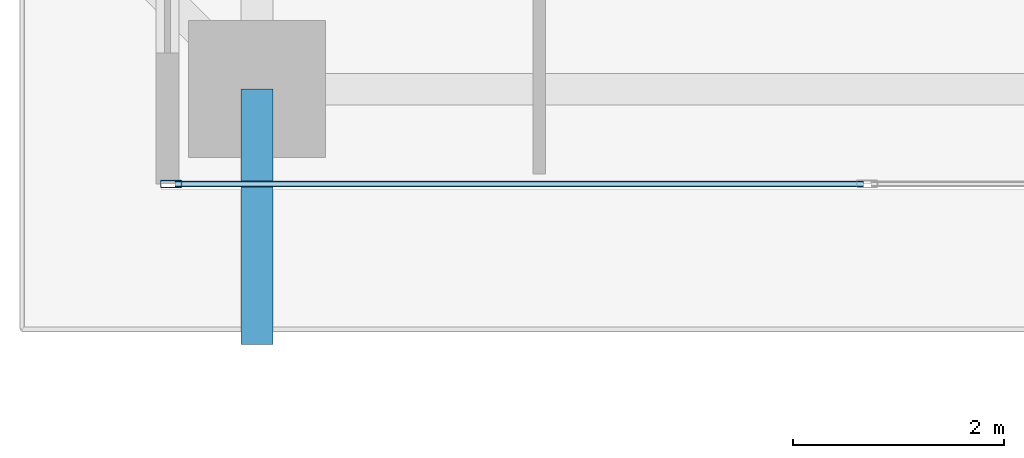
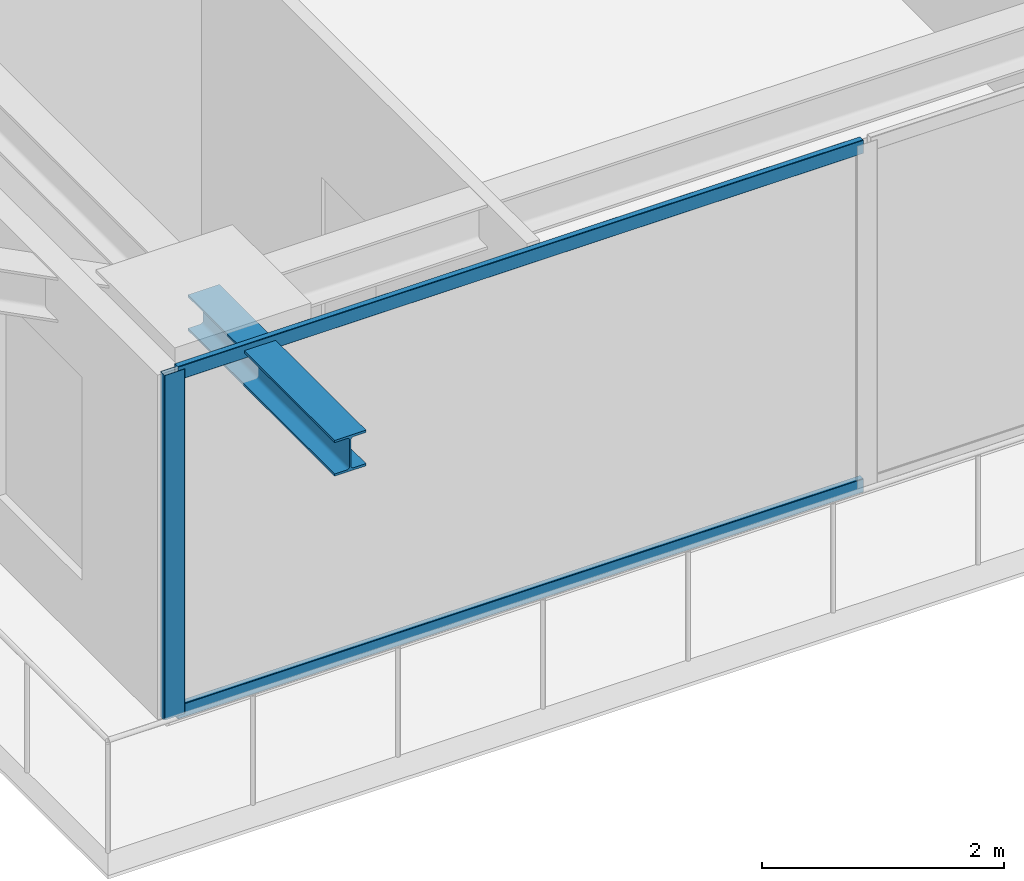
# One storey, part 2 of 37: 3 members, 1 beam, 1 element without a shape of its own.
"""IFC4 building model written with IfcOpenShell, lengths in metres."""

from ifc_helpers import new_model, si_unit, direction, frame, origin, origin_2d, place, context, subcontext, project, spatial, hollow_rectangle, i_section, extrude, source, transform, mapped, material, layer, layer_set, material_profile, profile_set, type_object, element, aggregate, save


model = new_model("IFC4")

# Units and contexts
model_context = context("Model", 3, precision=1e-05, world=origin(), true_north=direction((0.0, 1.0)))
body_context = subcontext(model_context, "Body", "Model", "MODEL_VIEW")
ifc_project = project(units=[si_unit("LENGTHUNIT", "METRE"), si_unit("AREAUNIT", "SQUARE_METRE"), si_unit("VOLUMEUNIT", "CUBIC_METRE"), si_unit("PLANEANGLEUNIT", "RADIAN"), si_unit("MASSUNIT", "GRAM", prefix="KILO")], contexts=[model_context])

# Site, building, storey
site_placement = place(None, origin())
site = spatial("IfcSite", under=ifc_project, at=site_placement, CompositionType="ELEMENT")
building_placement = place(site_placement, origin())
building = spatial("IfcBuilding", under=site, at=building_placement, Name="Serunith Strait Residences", CompositionType="ELEMENT")
storey_placement = place(building_placement, frame((0.0, 0.0, 127.64990234375)))
storey = spatial("IfcBuildingStorey", under=building, at=storey_placement, Name="L31", CompositionType="ELEMENT", Elevation=127.64990234375)

# Beam
ifc_material_1 = material(Name="Steel S355J2", Category="steel")
ifc_material_profile_1 = material_profile(ifc_material_1, i_section(OverallWidth=0.300048828125, OverallDepth=0.360107421875, WebThickness=0.012451171875, FlangeThickness=0.0224609375, FilletRadius=0.027099609375, at=origin_2d()), Name="HEB 360")
ifc_profile_set_1 = profile_set([ifc_material_profile_1], Name="Steel S355J2")
beam_type = type_object("IfcBeamType", Name="BM-HEB360", PredefinedType="BEAM", material=ifc_profile_set_1)
shared_shape_1 = source(origin(), body_context, "Body", "SweptSolid", [
    extrude(i_section(OverallWidth=0.300048828125, OverallDepth=0.360107421875, WebThickness=0.012451171875, FlangeThickness=0.0224609375, FilletRadius=0.027099609375, at=origin_2d()), origin(), (0.0, 0.0, 1.0), 2.423583984375),
])
beam_placement = place(storey_placement, frame((16.64990234375, 2.300048828125, 3.277099609375), z_axis=(0.0, -1.0, 0.0), x_axis=(1.0, 0.0, 0.0)))
element("IfcBeam", 1, at=beam_placement, inside=storey, type_object=beam_type, Name="L32 Cantilevered Balcony Rib TC-S1", PredefinedType="BEAM", context=body_context, shape_type="MappedRepresentation", body=[
    mapped(shared_shape_1, transform((0.0, 0.0, 0.0), scale=1.0)),
])

# Curtain wall, members
ifc_material_2 = material(Name="Pale-Champagne Anodised Aluminium", Category="aluminium")
ifc_layer = layer(ifc_material_2, 0.199951171875, Name="Pale-Champagne Anodised Aluminium")
ifc_layer_set = layer_set([ifc_layer], Name="Pale-Champagne Anodised Aluminium")
curtain_wall_type = type_object("IfcCurtainWallType", Name="CW-SYS2", PredefinedType="NOTDEFINED", material=ifc_layer_set)
curtain_wall_placement = place(storey_placement, origin())
curtain_wall = element("IfcCurtainWall", 2, at=curtain_wall_placement, inside=storey, type_object=curtain_wall_type, Name="L31 S Unitised Fritted Curtain Wall", PredefinedType="NOTDEFINED")
ifc_material_profile_2 = material_profile(ifc_material_2, hollow_rectangle(XDim=0.070068359375, YDim=0.199951171875, WallThickness=0.00390625, InnerFilletRadius=0.006103515625, OuterFilletRadius=0.010009765625, at=origin_2d()), Name="ALU 200x70x4")
ifc_profile_set_2 = profile_set([ifc_material_profile_2], Name="Pale-Champagne Anodised Aluminium")
member_type_1 = type_object("IfcMemberType", Name="CW-SYS2-MULL", PredefinedType="MULLION", material=ifc_profile_set_2)
shared_shape_2 = source(origin(), body_context, "Body", "SweptSolid", [
    extrude(hollow_rectangle(XDim=0.070068359375, YDim=0.199951171875, WallThickness=0.00390625, InnerFilletRadius=0.006103515625, OuterFilletRadius=0.010009765625, at=origin_2d()), origin(), (0.0, 0.0, 1.0), 3.47509765625),
])
member_1_placement = place(storey_placement, frame((15.8349609375, 1.39990234375, 0.0), z_axis=(0.0, 0.0, 1.0), x_axis=(0.0, 1.0, 0.0)))
member_1 = element("IfcMember", 3, at=member_1_placement, type_object=member_type_1, Name="CW-2 mullion 1", PredefinedType="MULLION", context=body_context, shape_type="MappedRepresentation", body=[
    mapped(shared_shape_2, transform((0.0, 0.0, 0.0), scale=1.0)),
])
ifc_material_profile_3 = material_profile(ifc_material_2, hollow_rectangle(XDim=0.06005859375, YDim=0.139892578125, WallThickness=0.00341796875, InnerFilletRadius=0.00537109375, OuterFilletRadius=0.0087890625, at=origin_2d()), Name="ALU 140x60x3.5")
ifc_profile_set_3 = profile_set([ifc_material_profile_3], Name="Pale-Champagne Anodised Aluminium")
member_type_2 = type_object("IfcMemberType", Name="CW-SYS2-TRAN", PredefinedType="USERDEFINED", material=ifc_profile_set_3)
shared_shape_3 = source(origin(), body_context, "Body", "SweptSolid", [
    extrude(hollow_rectangle(XDim=0.06005859375, YDim=0.139892578125, WallThickness=0.00341796875, InnerFilletRadius=0.00537109375, OuterFilletRadius=0.0087890625, at=origin_2d()), origin(), (0.0, 0.0, 1.0), 6.534912109375),
])
member_2_placement = place(storey_placement, frame((15.8701171875, 1.39990234375, 0.030029296875), z_axis=(1.0, 0.0, 0.0), x_axis=(0.0, 1.0, 0.0)))
member_2 = element("IfcMember", 4, at=member_2_placement, type_object=member_type_2, Name="CW-2 transom 1.1", ObjectType="TRANSOM", PredefinedType="USERDEFINED", context=body_context, shape_type="MappedRepresentation", body=[
    mapped(shared_shape_3, transform((0.0, 0.0, 0.0), scale=1.0)),
])
member_3_placement = place(storey_placement, frame((15.8701171875, 1.39990234375, 3.445068359375), z_axis=(1.0, 0.0, 0.0), x_axis=(0.0, 1.0, 0.0)))
member_3 = element("IfcMember", 5, at=member_3_placement, type_object=member_type_2, Name="CW-2 transom 1.2", ObjectType="TRANSOM", PredefinedType="USERDEFINED", context=body_context, shape_type="MappedRepresentation", body=[
    mapped(shared_shape_3, transform((0.0, 0.0, 0.0), scale=1.0)),
])
aggregate(curtain_wall, [member_1, member_2, member_3])

save(model, "model.ifc")
